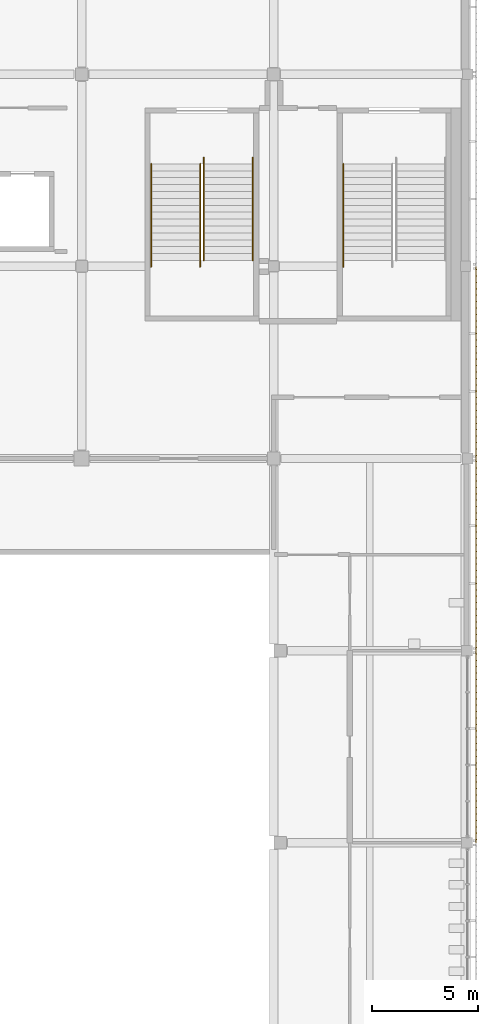
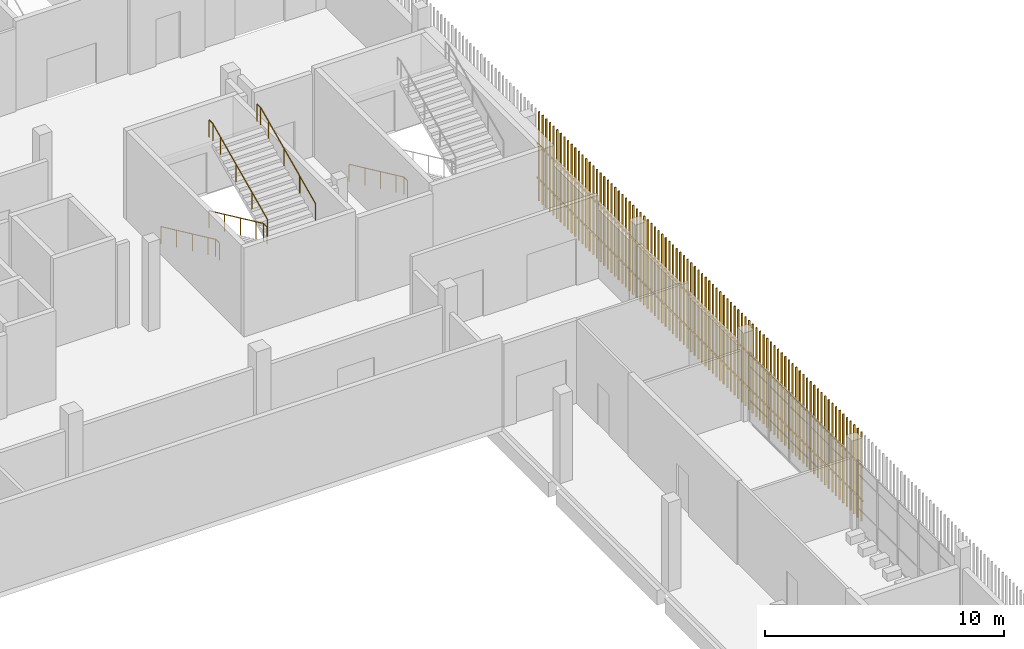
# One storey, part 119 of 124: 5 railings, 3 shading devices.
"""IFC4 building model written with IfcOpenShell, lengths in metres."""

from ifc_helpers import new_model, si_unit, direction, frame, origin, origin_2d, place, context, subcontext, project, spatial, rectangle, circle, extrude, material, type_object, element, save


model = new_model("IFC4")

# Units and contexts
model_context = context("Model", 3, precision=1e-05, world=origin(), true_north=direction((0.0, 1.0)))
body_context = subcontext(model_context, "Body", "Model", "MODEL_VIEW")
ifc_project = project(units=[si_unit("LENGTHUNIT", "METRE"), si_unit("AREAUNIT", "SQUARE_METRE"), si_unit("VOLUMEUNIT", "CUBIC_METRE"), si_unit("PLANEANGLEUNIT", "RADIAN"), si_unit("MASSUNIT", "GRAM", prefix="KILO")], contexts=[model_context])

# Site, building, storey
site_placement = place(None, origin())
site = spatial("IfcSite", under=ifc_project, at=site_placement, CompositionType="ELEMENT")
building_placement = place(site_placement, origin())
building = spatial("IfcBuilding", under=site, at=building_placement, Name="Shirokan Park Arena", CompositionType="ELEMENT")
storey_placement = place(building_placement, frame((0.0, 0.0, 20.02001953125)))
storey = spatial("IfcBuildingStorey", under=building, at=storey_placement, Name="L04", CompositionType="ELEMENT", Elevation=20.02001953125)

# Railings
ifc_material_1 = material(Name="Stainless steel", Category="steel")
railing_type = type_object("IfcRailingType", Name="Stair handrail 900", PredefinedType="HANDRAIL", material=ifc_material_1)
railing_1_placement = place(storey_placement, frame((139.7900390625, 86.75, 0.151611328125)))
element("IfcRailing", 1, at=railing_1_placement, inside=storey, type_object=railing_type, Name="Handrail Exit Stair 3.E L04 to L05", PredefinedType="HANDRAIL", context=body_context, shape_type="SweptSolid", body=[
    extrude(circle(Radius=0.02392578125, at=origin_2d()), frame((0.0, 0.0, 0.8759765625), z_axis=(0.0, -0.907029769225, 0.421066500378), x_axis=(1.0, 0.0, 0.0)), (0.0, 0.0, 1.0), 1.44091796875),
    extrude(circle(Radius=0.02392578125, at=origin_2d()), frame((0.0, -1.306884765625, 1.482421875), z_axis=(0.0, -0.906999720516, 0.421131222998), x_axis=(1.0, 0.0, 0.0)), (0.0, 0.0, 1.0), 1.440673828125),
    extrude(circle(Radius=0.02392578125, at=origin_2d()), frame((0.0, -2.613525390625, 2.08935546875), z_axis=(0.0, -0.907029769225, 0.421066500378), x_axis=(1.0, 0.0, 0.0)), (0.0, 0.0, 1.0), 1.44091796875),
    extrude(circle(Radius=0.02392578125, at=origin_2d()), frame((0.0, -3.92041015625, 2.69580078125), z_axis=(0.0, -0.907064445915, 0.420991794405), x_axis=(1.0, 0.0, 0.0)), (0.0, 0.0, 1.0), 0.72021484375),
    extrude(circle(Radius=0.02392578125, at=origin_2d()), frame((0.0, -4.57373046875, 2.9990234375), z_axis=(0.0, -1.0, 0.0), x_axis=(1.0, 0.0, 0.0)), (0.0, 0.0, 1.0), 0.300048828125),
    extrude(circle(Radius=0.02099609375, at=origin_2d()), origin(), (0.0, 0.0, 1.0), 0.851806640625),
    extrude(circle(Radius=0.02099609375, at=origin_2d()), frame((0.0, -1.306884765625, 0.606689453125)), (0.0, 0.0, 1.0), 0.851806640625),
    extrude(circle(Radius=0.02099609375, at=origin_2d()), frame((0.0, -2.613525390625, 1.21337890625)), (0.0, 0.0, 1.0), 0.851806640625),
    extrude(circle(Radius=0.02099609375, at=origin_2d()), frame((0.0, -3.92041015625, 1.820068359375)), (0.0, 0.0, 1.0), 0.851806640625),
    extrude(circle(Radius=0.02099609375, at=origin_2d()), frame((0.0, -4.57373046875, 2.123291015625)), (0.0, 0.0, 1.0), 0.851806640625),
    extrude(circle(Radius=0.02099609375, at=origin_2d()), frame((0.0, -4.873779296875, 2.123291015625)), (0.0, 0.0, 1.0), 0.851806640625),
])
railing_2_placement = place(storey_placement, frame((130.68994140625, 86.75, 0.151611328125)))
element("IfcRailing", 2, at=railing_2_placement, inside=storey, type_object=railing_type, Name="Handrail Exit Stair 3.F L04 to L05", PredefinedType="HANDRAIL", context=body_context, shape_type="SweptSolid", body=[
    extrude(circle(Radius=0.02392578125, at=origin_2d()), frame((0.0, 0.0, 0.8759765625), z_axis=(0.0, -0.907029769225, 0.421066500378), x_axis=(1.0, 0.0, 0.0)), (0.0, 0.0, 1.0), 1.44091796875),
    extrude(circle(Radius=0.02392578125, at=origin_2d()), frame((0.0, -1.306884765625, 1.482421875), z_axis=(0.0, -0.906999720516, 0.421131222998), x_axis=(1.0, 0.0, 0.0)), (0.0, 0.0, 1.0), 1.440673828125),
    extrude(circle(Radius=0.02392578125, at=origin_2d()), frame((0.0, -2.613525390625, 2.08935546875), z_axis=(0.0, -0.907029769225, 0.421066500378), x_axis=(1.0, 0.0, 0.0)), (0.0, 0.0, 1.0), 1.44091796875),
    extrude(circle(Radius=0.02392578125, at=origin_2d()), frame((0.0, -3.92041015625, 2.69580078125), z_axis=(0.0, -0.907064445915, 0.420991794405), x_axis=(1.0, 0.0, 0.0)), (0.0, 0.0, 1.0), 0.72021484375),
    extrude(circle(Radius=0.02392578125, at=origin_2d()), frame((0.0, -4.57373046875, 2.9990234375), z_axis=(0.0, -1.0, 0.0), x_axis=(1.0, 0.0, 0.0)), (0.0, 0.0, 1.0), 0.300048828125),
    extrude(circle(Radius=0.02099609375, at=origin_2d()), origin(), (0.0, 0.0, 1.0), 0.851806640625),
    extrude(circle(Radius=0.02099609375, at=origin_2d()), frame((0.0, -1.306884765625, 0.606689453125)), (0.0, 0.0, 1.0), 0.851806640625),
    extrude(circle(Radius=0.02099609375, at=origin_2d()), frame((0.0, -2.613525390625, 1.21337890625)), (0.0, 0.0, 1.0), 0.851806640625),
    extrude(circle(Radius=0.02099609375, at=origin_2d()), frame((0.0, -3.92041015625, 1.820068359375)), (0.0, 0.0, 1.0), 0.851806640625),
    extrude(circle(Radius=0.02099609375, at=origin_2d()), frame((0.0, -4.57373046875, 2.123291015625)), (0.0, 0.0, 1.0), 0.851806640625),
    extrude(circle(Radius=0.02099609375, at=origin_2d()), frame((0.0, -4.873779296875, 2.123291015625)), (0.0, 0.0, 1.0), 0.851806640625),
])
railing_3_placement = place(storey_placement, frame((133.010009765625, 86.75, 0.151611328125)))
element("IfcRailing", 3, at=railing_3_placement, inside=storey, type_object=railing_type, Name="Handrail Exit Stair 3.F L04 to L05", PredefinedType="HANDRAIL", context=body_context, shape_type="SweptSolid", body=[
    extrude(circle(Radius=0.02392578125, at=origin_2d()), frame((0.0, 0.0, 0.8759765625), z_axis=(0.0, -0.907029769225, 0.421066500378), x_axis=(1.0, 0.0, 0.0)), (0.0, 0.0, 1.0), 1.44091796875),
    extrude(circle(Radius=0.02392578125, at=origin_2d()), frame((0.0, -1.306884765625, 1.482421875), z_axis=(0.0, -0.906999720516, 0.421131222998), x_axis=(1.0, 0.0, 0.0)), (0.0, 0.0, 1.0), 1.440673828125),
    extrude(circle(Radius=0.02392578125, at=origin_2d()), frame((0.0, -2.613525390625, 2.08935546875), z_axis=(0.0, -0.907029769225, 0.421066500378), x_axis=(1.0, 0.0, 0.0)), (0.0, 0.0, 1.0), 1.44091796875),
    extrude(circle(Radius=0.02392578125, at=origin_2d()), frame((0.0, -3.92041015625, 2.69580078125), z_axis=(0.0, -0.907064445915, 0.420991794405), x_axis=(1.0, 0.0, 0.0)), (0.0, 0.0, 1.0), 0.72021484375),
    extrude(circle(Radius=0.02392578125, at=origin_2d()), frame((0.0, -4.57373046875, 2.9990234375), z_axis=(0.0, -1.0, 0.0), x_axis=(1.0, 0.0, 0.0)), (0.0, 0.0, 1.0), 0.300048828125),
    extrude(circle(Radius=0.02099609375, at=origin_2d()), origin(), (0.0, 0.0, 1.0), 0.851806640625),
    extrude(circle(Radius=0.02099609375, at=origin_2d()), frame((0.0, -1.306884765625, 0.606689453125)), (0.0, 0.0, 1.0), 0.851806640625),
    extrude(circle(Radius=0.02099609375, at=origin_2d()), frame((0.0, -2.613525390625, 1.21337890625)), (0.0, 0.0, 1.0), 0.851806640625),
    extrude(circle(Radius=0.02099609375, at=origin_2d()), frame((0.0, -3.92041015625, 1.820068359375)), (0.0, 0.0, 1.0), 0.851806640625),
    extrude(circle(Radius=0.02099609375, at=origin_2d()), frame((0.0, -4.57373046875, 2.123291015625)), (0.0, 0.0, 1.0), 0.851806640625),
    extrude(circle(Radius=0.02099609375, at=origin_2d()), frame((0.0, -4.873779296875, 2.123291015625)), (0.0, 0.0, 1.0), 0.851806640625),
])
railing_4_placement = place(storey_placement, frame((133.18994140625, 82.17626953125, 2.4267578125)))
element("IfcRailing", 4, at=railing_4_placement, inside=storey, type_object=railing_type, Name="Handrail Exit Stair 3.F L04 to L05", PredefinedType="HANDRAIL", context=body_context, shape_type="SweptSolid", body=[
    extrude(circle(Radius=0.02392578125, at=origin_2d()), frame((0.0, 0.0, 0.8759765625), z_axis=(0.0, 0.907064445915, 0.420991794405), x_axis=(-1.0, 0.0, 0.0)), (0.0, 0.0, 1.0), 1.4404296875),
    extrude(circle(Radius=0.02392578125, at=origin_2d()), frame((0.0, 1.306640625, 1.482421875), z_axis=(0.0, 0.907029769225, 0.421066500378), x_axis=(-1.0, 0.0, 0.0)), (0.0, 0.0, 1.0), 1.44091796875),
    extrude(circle(Radius=0.02392578125, at=origin_2d()), frame((0.0, 2.613525390625, 2.0888671875), z_axis=(0.0, 0.907029769225, 0.421066500378), x_axis=(-1.0, 0.0, 0.0)), (0.0, 0.0, 1.0), 1.44091796875),
    extrude(circle(Radius=0.02392578125, at=origin_2d()), frame((0.0, 3.92041015625, 2.69580078125), z_axis=(0.0, 0.906934982928, 0.421270621741), x_axis=(-1.0, 0.0, 0.0)), (0.0, 0.0, 1.0), 0.720458984375),
    extrude(circle(Radius=0.02392578125, at=origin_2d()), frame((0.0, 4.57373046875, 2.9990234375), z_axis=(0.0, 1.0, 0.0), x_axis=(-1.0, 0.0, 0.0)), (0.0, 0.0, 1.0), 0.300048828125),
    extrude(circle(Radius=0.02099609375, at=origin_2d()), origin(), (0.0, 0.0, 1.0), 0.851806640625),
    extrude(circle(Radius=0.02099609375, at=origin_2d()), frame((0.0, 1.306640625, 0.6064453125)), (0.0, 0.0, 1.0), 0.851806640625),
    extrude(circle(Radius=0.02099609375, at=origin_2d()), frame((0.0, 2.613525390625, 1.213134765625)), (0.0, 0.0, 1.0), 0.851806640625),
    extrude(circle(Radius=0.02099609375, at=origin_2d()), frame((0.0, 3.92041015625, 1.81982421875)), (0.0, 0.0, 1.0), 0.851806640625),
    extrude(circle(Radius=0.02099609375, at=origin_2d()), frame((0.0, 4.57373046875, 2.123291015625)), (0.0, 0.0, 1.0), 0.851806640625),
    extrude(circle(Radius=0.02099609375, at=origin_2d()), frame((0.0, 4.873779296875, 2.123291015625)), (0.0, 0.0, 1.0), 0.851806640625),
])
railing_5_placement = place(storey_placement, frame((135.510009765625, 82.17626953125, 2.4267578125)))
element("IfcRailing", 5, at=railing_5_placement, inside=storey, type_object=railing_type, Name="Handrail Exit Stair 3.F L04 to L05", PredefinedType="HANDRAIL", context=body_context, shape_type="SweptSolid", body=[
    extrude(circle(Radius=0.02392578125, at=origin_2d()), frame((0.0, 0.0, 0.8759765625), z_axis=(0.0, 0.907064445915, 0.420991794405), x_axis=(-1.0, 0.0, 0.0)), (0.0, 0.0, 1.0), 1.4404296875),
    extrude(circle(Radius=0.02392578125, at=origin_2d()), frame((0.0, 1.306640625, 1.482421875), z_axis=(0.0, 0.907029769225, 0.421066500378), x_axis=(-1.0, 0.0, 0.0)), (0.0, 0.0, 1.0), 1.44091796875),
    extrude(circle(Radius=0.02392578125, at=origin_2d()), frame((0.0, 2.613525390625, 2.0888671875), z_axis=(0.0, 0.907029769225, 0.421066500378), x_axis=(-1.0, 0.0, 0.0)), (0.0, 0.0, 1.0), 1.44091796875),
    extrude(circle(Radius=0.02392578125, at=origin_2d()), frame((0.0, 3.92041015625, 2.69580078125), z_axis=(0.0, 0.906934982928, 0.421270621741), x_axis=(-1.0, 0.0, 0.0)), (0.0, 0.0, 1.0), 0.720458984375),
    extrude(circle(Radius=0.02392578125, at=origin_2d()), frame((0.0, 4.57373046875, 2.9990234375), z_axis=(0.0, 1.0, 0.0), x_axis=(-1.0, 0.0, 0.0)), (0.0, 0.0, 1.0), 0.300048828125),
    extrude(circle(Radius=0.02099609375, at=origin_2d()), origin(), (0.0, 0.0, 1.0), 0.851806640625),
    extrude(circle(Radius=0.02099609375, at=origin_2d()), frame((0.0, 1.306640625, 0.6064453125)), (0.0, 0.0, 1.0), 0.851806640625),
    extrude(circle(Radius=0.02099609375, at=origin_2d()), frame((0.0, 2.613525390625, 1.213134765625)), (0.0, 0.0, 1.0), 0.851806640625),
    extrude(circle(Radius=0.02099609375, at=origin_2d()), frame((0.0, 3.92041015625, 1.81982421875)), (0.0, 0.0, 1.0), 0.851806640625),
    extrude(circle(Radius=0.02099609375, at=origin_2d()), frame((0.0, 4.57373046875, 2.123291015625)), (0.0, 0.0, 1.0), 0.851806640625),
    extrude(circle(Radius=0.02099609375, at=origin_2d()), frame((0.0, 4.873779296875, 2.123291015625)), (0.0, 0.0, 1.0), 0.851806640625),
])

# Shading devices
ifc_material_2 = material(Name="Timber louvre veil (cedar)", Category="wood")
shading_device_type = type_object("IfcShadingDeviceType", Name="Timber louvre veil panel", PredefinedType="JALOUSIE", material=ifc_material_2)
shading_device_1_placement = place(storey_placement, origin())
element("IfcShadingDevice", 6, at=shading_device_1_placement, inside=storey, type_object=shading_device_type, Name="Timber louvre veil east bay 7 L04", PredefinedType="JALOUSIE", context=body_context, shape_type="SweptSolid", body=[
    extrude(rectangle(XDim=0.050048828125, YDim=0.080078125, at=origin_2d()), frame((146.0849609375, 54.751708984375, 0.0), z_axis=(0.0, 0.0, 1.0), x_axis=(0.0, 1.0, 0.0)), (0.0, 0.0, 1.0), 4.550048828125),
    extrude(rectangle(XDim=0.050048828125, YDim=0.080078125, at=origin_2d()), frame((146.0849609375, 55.054931640625, 0.0), z_axis=(0.0, 0.0, 1.0), x_axis=(0.0, 1.0, 0.0)), (0.0, 0.0, 1.0), 4.550048828125),
    extrude(rectangle(XDim=0.050048828125, YDim=0.080078125, at=origin_2d()), frame((146.0849609375, 55.3583984375, 0.0), z_axis=(0.0, 0.0, 1.0), x_axis=(0.0, 1.0, 0.0)), (0.0, 0.0, 1.0), 4.550048828125),
    extrude(rectangle(XDim=0.050048828125, YDim=0.080078125, at=origin_2d()), frame((146.0849609375, 55.66162109375, 0.0), z_axis=(0.0, 0.0, 1.0), x_axis=(0.0, 1.0, 0.0)), (0.0, 0.0, 1.0), 4.550048828125),
    extrude(rectangle(XDim=0.050048828125, YDim=0.080078125, at=origin_2d()), frame((146.0849609375, 55.965087890625, 0.0), z_axis=(0.0, 0.0, 1.0), x_axis=(0.0, 1.0, 0.0)), (0.0, 0.0, 1.0), 4.550048828125),
    extrude(rectangle(XDim=0.050048828125, YDim=0.080078125, at=origin_2d()), frame((146.0849609375, 56.268310546875, 0.0), z_axis=(0.0, 0.0, 1.0), x_axis=(0.0, 1.0, 0.0)), (0.0, 0.0, 1.0), 4.550048828125),
    extrude(rectangle(XDim=0.050048828125, YDim=0.080078125, at=origin_2d()), frame((146.0849609375, 56.57177734375, 0.0), z_axis=(0.0, 0.0, 1.0), x_axis=(0.0, 1.0, 0.0)), (0.0, 0.0, 1.0), 4.550048828125),
    extrude(rectangle(XDim=0.050048828125, YDim=0.080078125, at=origin_2d()), frame((146.0849609375, 56.875, 0.0), z_axis=(0.0, 0.0, 1.0), x_axis=(0.0, 1.0, 0.0)), (0.0, 0.0, 1.0), 4.550048828125),
    extrude(rectangle(XDim=0.050048828125, YDim=0.080078125, at=origin_2d()), frame((146.0849609375, 57.17822265625, 0.0), z_axis=(0.0, 0.0, 1.0), x_axis=(0.0, 1.0, 0.0)), (0.0, 0.0, 1.0), 4.550048828125),
    extrude(rectangle(XDim=0.050048828125, YDim=0.080078125, at=origin_2d()), frame((146.0849609375, 57.481689453125, 0.0), z_axis=(0.0, 0.0, 1.0), x_axis=(0.0, 1.0, 0.0)), (0.0, 0.0, 1.0), 4.550048828125),
    extrude(rectangle(XDim=0.050048828125, YDim=0.080078125, at=origin_2d()), frame((146.0849609375, 57.784912109375, 0.0), z_axis=(0.0, 0.0, 1.0), x_axis=(0.0, 1.0, 0.0)), (0.0, 0.0, 1.0), 4.550048828125),
    extrude(rectangle(XDim=0.050048828125, YDim=0.080078125, at=origin_2d()), frame((146.0849609375, 58.08837890625, 0.0), z_axis=(0.0, 0.0, 1.0), x_axis=(0.0, 1.0, 0.0)), (0.0, 0.0, 1.0), 4.550048828125),
    extrude(rectangle(XDim=0.050048828125, YDim=0.080078125, at=origin_2d()), frame((146.0849609375, 58.3916015625, 0.0), z_axis=(0.0, 0.0, 1.0), x_axis=(0.0, 1.0, 0.0)), (0.0, 0.0, 1.0), 4.550048828125),
    extrude(rectangle(XDim=0.050048828125, YDim=0.080078125, at=origin_2d()), frame((146.0849609375, 58.695068359375, 0.0), z_axis=(0.0, 0.0, 1.0), x_axis=(0.0, 1.0, 0.0)), (0.0, 0.0, 1.0), 4.550048828125),
    extrude(rectangle(XDim=0.050048828125, YDim=0.080078125, at=origin_2d()), frame((146.0849609375, 58.998291015625, 0.0), z_axis=(0.0, 0.0, 1.0), x_axis=(0.0, 1.0, 0.0)), (0.0, 0.0, 1.0), 4.550048828125),
    extrude(rectangle(XDim=0.050048828125, YDim=0.080078125, at=origin_2d()), frame((146.0849609375, 59.3017578125, 0.0), z_axis=(0.0, 0.0, 1.0), x_axis=(0.0, 1.0, 0.0)), (0.0, 0.0, 1.0), 4.550048828125),
    extrude(rectangle(XDim=0.050048828125, YDim=0.080078125, at=origin_2d()), frame((146.0849609375, 59.60498046875, 0.0), z_axis=(0.0, 0.0, 1.0), x_axis=(0.0, 1.0, 0.0)), (0.0, 0.0, 1.0), 4.550048828125),
    extrude(rectangle(XDim=0.050048828125, YDim=0.080078125, at=origin_2d()), frame((146.0849609375, 59.908447265625, 0.0), z_axis=(0.0, 0.0, 1.0), x_axis=(0.0, 1.0, 0.0)), (0.0, 0.0, 1.0), 4.550048828125),
    extrude(rectangle(XDim=0.050048828125, YDim=0.080078125, at=origin_2d()), frame((146.0849609375, 60.211669921875, 0.0), z_axis=(0.0, 0.0, 1.0), x_axis=(0.0, 1.0, 0.0)), (0.0, 0.0, 1.0), 4.550048828125),
    extrude(rectangle(XDim=0.050048828125, YDim=0.080078125, at=origin_2d()), frame((146.0849609375, 60.514892578125, 0.0), z_axis=(0.0, 0.0, 1.0), x_axis=(0.0, 1.0, 0.0)), (0.0, 0.0, 1.0), 4.550048828125),
    extrude(rectangle(XDim=0.050048828125, YDim=0.080078125, at=origin_2d()), frame((146.0849609375, 60.818359375, 0.0), z_axis=(0.0, 0.0, 1.0), x_axis=(0.0, 1.0, 0.0)), (0.0, 0.0, 1.0), 4.550048828125),
    extrude(rectangle(XDim=0.050048828125, YDim=0.080078125, at=origin_2d()), frame((146.0849609375, 61.12158203125, 0.0), z_axis=(0.0, 0.0, 1.0), x_axis=(0.0, 1.0, 0.0)), (0.0, 0.0, 1.0), 4.550048828125),
    extrude(rectangle(XDim=0.050048828125, YDim=0.080078125, at=origin_2d()), frame((146.0849609375, 61.425048828125, 0.0), z_axis=(0.0, 0.0, 1.0), x_axis=(0.0, 1.0, 0.0)), (0.0, 0.0, 1.0), 4.550048828125),
    extrude(rectangle(XDim=0.050048828125, YDim=0.080078125, at=origin_2d()), frame((146.0849609375, 61.728271484375, 0.0), z_axis=(0.0, 0.0, 1.0), x_axis=(0.0, 1.0, 0.0)), (0.0, 0.0, 1.0), 4.550048828125),
    extrude(rectangle(XDim=0.050048828125, YDim=0.080078125, at=origin_2d()), frame((146.0849609375, 62.03173828125, 0.0), z_axis=(0.0, 0.0, 1.0), x_axis=(0.0, 1.0, 0.0)), (0.0, 0.0, 1.0), 4.550048828125),
    extrude(rectangle(XDim=0.050048828125, YDim=0.080078125, at=origin_2d()), frame((146.0849609375, 62.3349609375, 0.0), z_axis=(0.0, 0.0, 1.0), x_axis=(0.0, 1.0, 0.0)), (0.0, 0.0, 1.0), 4.550048828125),
    extrude(rectangle(XDim=0.050048828125, YDim=0.080078125, at=origin_2d()), frame((146.0849609375, 62.638427734375, 0.0), z_axis=(0.0, 0.0, 1.0), x_axis=(0.0, 1.0, 0.0)), (0.0, 0.0, 1.0), 4.550048828125),
    extrude(rectangle(XDim=0.050048828125, YDim=0.080078125, at=origin_2d()), frame((146.0849609375, 62.941650390625, 0.0), z_axis=(0.0, 0.0, 1.0), x_axis=(0.0, 1.0, 0.0)), (0.0, 0.0, 1.0), 4.550048828125),
    extrude(rectangle(XDim=0.050048828125, YDim=0.080078125, at=origin_2d()), frame((146.0849609375, 63.2451171875, 0.0), z_axis=(0.0, 0.0, 1.0), x_axis=(0.0, 1.0, 0.0)), (0.0, 0.0, 1.0), 4.550048828125),
    extrude(rectangle(XDim=0.050048828125, YDim=0.080078125, at=origin_2d()), frame((146.0849609375, 63.54833984375, 0.0), z_axis=(0.0, 0.0, 1.0), x_axis=(0.0, 1.0, 0.0)), (0.0, 0.0, 1.0), 4.550048828125),
    extrude(rectangle(XDim=9.10009765625, YDim=0.050048828125, at=origin_2d()), frame((146.070068359375, 59.14990234375, 1.06005859375), z_axis=(0.0, 0.0, 1.0), x_axis=(0.0, 1.0, 0.0)), (0.0, 0.0, 1.0), 0.080078125),
    extrude(rectangle(XDim=9.10009765625, YDim=0.050048828125, at=origin_2d()), frame((146.070068359375, 59.14990234375, 2.81005859375), z_axis=(0.0, 0.0, 1.0), x_axis=(0.0, 1.0, 0.0)), (0.0, 0.0, 1.0), 0.080078125),
])
shading_device_2_placement = place(storey_placement, origin())
element("IfcShadingDevice", 7, at=shading_device_2_placement, inside=storey, type_object=shading_device_type, Name="Timber louvre veil east bay 8 L04", PredefinedType="JALOUSIE", context=body_context, shape_type="SweptSolid", body=[
    extrude(rectangle(XDim=0.050048828125, YDim=0.080078125, at=origin_2d()), frame((146.0849609375, 63.8515625, 0.0), z_axis=(0.0, 0.0, 1.0), x_axis=(0.0, 1.0, 0.0)), (0.0, 0.0, 1.0), 4.550048828125),
    extrude(rectangle(XDim=0.050048828125, YDim=0.080078125, at=origin_2d()), frame((146.0849609375, 64.155029296875, 0.0), z_axis=(0.0, 0.0, 1.0), x_axis=(0.0, 1.0, 0.0)), (0.0, 0.0, 1.0), 4.550048828125),
    extrude(rectangle(XDim=0.050048828125, YDim=0.080078125, at=origin_2d()), frame((146.0849609375, 64.458251953125, 0.0), z_axis=(0.0, 0.0, 1.0), x_axis=(0.0, 1.0, 0.0)), (0.0, 0.0, 1.0), 4.550048828125),
    extrude(rectangle(XDim=0.050048828125, YDim=0.080078125, at=origin_2d()), frame((146.0849609375, 64.76171875, 0.0), z_axis=(0.0, 0.0, 1.0), x_axis=(0.0, 1.0, 0.0)), (0.0, 0.0, 1.0), 4.550048828125),
    extrude(rectangle(XDim=0.050048828125, YDim=0.080078125, at=origin_2d()), frame((146.0849609375, 65.06494140625, 0.0), z_axis=(0.0, 0.0, 1.0), x_axis=(0.0, 1.0, 0.0)), (0.0, 0.0, 1.0), 4.550048828125),
    extrude(rectangle(XDim=0.050048828125, YDim=0.080078125, at=origin_2d()), frame((146.0849609375, 65.368408203125, 0.0), z_axis=(0.0, 0.0, 1.0), x_axis=(0.0, 1.0, 0.0)), (0.0, 0.0, 1.0), 4.550048828125),
    extrude(rectangle(XDim=0.050048828125, YDim=0.080078125, at=origin_2d()), frame((146.0849609375, 65.671630859375, 0.0), z_axis=(0.0, 0.0, 1.0), x_axis=(0.0, 1.0, 0.0)), (0.0, 0.0, 1.0), 4.550048828125),
    extrude(rectangle(XDim=0.050048828125, YDim=0.080078125, at=origin_2d()), frame((146.0849609375, 65.97509765625, 0.0), z_axis=(0.0, 0.0, 1.0), x_axis=(0.0, 1.0, 0.0)), (0.0, 0.0, 1.0), 4.550048828125),
    extrude(rectangle(XDim=0.050048828125, YDim=0.080078125, at=origin_2d()), frame((146.0849609375, 66.2783203125, 0.0), z_axis=(0.0, 0.0, 1.0), x_axis=(0.0, 1.0, 0.0)), (0.0, 0.0, 1.0), 4.550048828125),
    extrude(rectangle(XDim=0.050048828125, YDim=0.080078125, at=origin_2d()), frame((146.0849609375, 66.581787109375, 0.0), z_axis=(0.0, 0.0, 1.0), x_axis=(0.0, 1.0, 0.0)), (0.0, 0.0, 1.0), 4.550048828125),
    extrude(rectangle(XDim=0.050048828125, YDim=0.080078125, at=origin_2d()), frame((146.0849609375, 66.885009765625, 0.0), z_axis=(0.0, 0.0, 1.0), x_axis=(0.0, 1.0, 0.0)), (0.0, 0.0, 1.0), 4.550048828125),
    extrude(rectangle(XDim=0.050048828125, YDim=0.080078125, at=origin_2d()), frame((146.0849609375, 67.188232421875, 0.0), z_axis=(0.0, 0.0, 1.0), x_axis=(0.0, 1.0, 0.0)), (0.0, 0.0, 1.0), 4.550048828125),
    extrude(rectangle(XDim=0.050048828125, YDim=0.080078125, at=origin_2d()), frame((146.0849609375, 67.49169921875, 0.0), z_axis=(0.0, 0.0, 1.0), x_axis=(0.0, 1.0, 0.0)), (0.0, 0.0, 1.0), 4.550048828125),
    extrude(rectangle(XDim=0.050048828125, YDim=0.080078125, at=origin_2d()), frame((146.0849609375, 67.794921875, 0.0), z_axis=(0.0, 0.0, 1.0), x_axis=(0.0, 1.0, 0.0)), (0.0, 0.0, 1.0), 4.550048828125),
    extrude(rectangle(XDim=0.050048828125, YDim=0.080078125, at=origin_2d()), frame((146.0849609375, 68.098388671875, 0.0), z_axis=(0.0, 0.0, 1.0), x_axis=(0.0, 1.0, 0.0)), (0.0, 0.0, 1.0), 4.550048828125),
    extrude(rectangle(XDim=0.050048828125, YDim=0.080078125, at=origin_2d()), frame((146.0849609375, 68.401611328125, 0.0), z_axis=(0.0, 0.0, 1.0), x_axis=(0.0, 1.0, 0.0)), (0.0, 0.0, 1.0), 4.550048828125),
    extrude(rectangle(XDim=0.050048828125, YDim=0.080078125, at=origin_2d()), frame((146.0849609375, 68.705078125, 0.0), z_axis=(0.0, 0.0, 1.0), x_axis=(0.0, 1.0, 0.0)), (0.0, 0.0, 1.0), 4.550048828125),
    extrude(rectangle(XDim=0.050048828125, YDim=0.080078125, at=origin_2d()), frame((146.0849609375, 69.00830078125, 0.0), z_axis=(0.0, 0.0, 1.0), x_axis=(0.0, 1.0, 0.0)), (0.0, 0.0, 1.0), 4.550048828125),
    extrude(rectangle(XDim=0.050048828125, YDim=0.080078125, at=origin_2d()), frame((146.0849609375, 69.311767578125, 0.0), z_axis=(0.0, 0.0, 1.0), x_axis=(0.0, 1.0, 0.0)), (0.0, 0.0, 1.0), 4.550048828125),
    extrude(rectangle(XDim=0.050048828125, YDim=0.080078125, at=origin_2d()), frame((146.0849609375, 69.614990234375, 0.0), z_axis=(0.0, 0.0, 1.0), x_axis=(0.0, 1.0, 0.0)), (0.0, 0.0, 1.0), 4.550048828125),
    extrude(rectangle(XDim=0.050048828125, YDim=0.080078125, at=origin_2d()), frame((146.0849609375, 69.918212890625, 0.0), z_axis=(0.0, 0.0, 1.0), x_axis=(0.0, 1.0, 0.0)), (0.0, 0.0, 1.0), 4.550048828125),
    extrude(rectangle(XDim=0.050048828125, YDim=0.080078125, at=origin_2d()), frame((146.0849609375, 70.2216796875, 0.0), z_axis=(0.0, 0.0, 1.0), x_axis=(0.0, 1.0, 0.0)), (0.0, 0.0, 1.0), 4.550048828125),
    extrude(rectangle(XDim=0.050048828125, YDim=0.080078125, at=origin_2d()), frame((146.0849609375, 70.52490234375, 0.0), z_axis=(0.0, 0.0, 1.0), x_axis=(0.0, 1.0, 0.0)), (0.0, 0.0, 1.0), 4.550048828125),
    extrude(rectangle(XDim=0.050048828125, YDim=0.080078125, at=origin_2d()), frame((146.0849609375, 70.828369140625, 0.0), z_axis=(0.0, 0.0, 1.0), x_axis=(0.0, 1.0, 0.0)), (0.0, 0.0, 1.0), 4.550048828125),
    extrude(rectangle(XDim=0.050048828125, YDim=0.080078125, at=origin_2d()), frame((146.0849609375, 71.131591796875, 0.0), z_axis=(0.0, 0.0, 1.0), x_axis=(0.0, 1.0, 0.0)), (0.0, 0.0, 1.0), 4.550048828125),
    extrude(rectangle(XDim=0.050048828125, YDim=0.080078125, at=origin_2d()), frame((146.0849609375, 71.43505859375, 0.0), z_axis=(0.0, 0.0, 1.0), x_axis=(0.0, 1.0, 0.0)), (0.0, 0.0, 1.0), 4.550048828125),
    extrude(rectangle(XDim=0.050048828125, YDim=0.080078125, at=origin_2d()), frame((146.0849609375, 71.73828125, 0.0), z_axis=(0.0, 0.0, 1.0), x_axis=(0.0, 1.0, 0.0)), (0.0, 0.0, 1.0), 4.550048828125),
    extrude(rectangle(XDim=0.050048828125, YDim=0.080078125, at=origin_2d()), frame((146.0849609375, 72.041748046875, 0.0), z_axis=(0.0, 0.0, 1.0), x_axis=(0.0, 1.0, 0.0)), (0.0, 0.0, 1.0), 4.550048828125),
    extrude(rectangle(XDim=0.050048828125, YDim=0.080078125, at=origin_2d()), frame((146.0849609375, 72.344970703125, 0.0), z_axis=(0.0, 0.0, 1.0), x_axis=(0.0, 1.0, 0.0)), (0.0, 0.0, 1.0), 4.550048828125),
    extrude(rectangle(XDim=0.050048828125, YDim=0.080078125, at=origin_2d()), frame((146.0849609375, 72.6484375, 0.0), z_axis=(0.0, 0.0, 1.0), x_axis=(0.0, 1.0, 0.0)), (0.0, 0.0, 1.0), 4.550048828125),
    extrude(rectangle(XDim=9.10009765625, YDim=0.050048828125, at=origin_2d()), frame((146.070068359375, 68.25, 1.06005859375), z_axis=(0.0, 0.0, 1.0), x_axis=(0.0, 1.0, 0.0)), (0.0, 0.0, 1.0), 0.080078125),
    extrude(rectangle(XDim=9.10009765625, YDim=0.050048828125, at=origin_2d()), frame((146.070068359375, 68.25, 2.81005859375), z_axis=(0.0, 0.0, 1.0), x_axis=(0.0, 1.0, 0.0)), (0.0, 0.0, 1.0), 0.080078125),
])
shading_device_3_placement = place(storey_placement, origin())
element("IfcShadingDevice", 8, at=shading_device_3_placement, inside=storey, type_object=shading_device_type, Name="Timber louvre veil east bay 9 L04", PredefinedType="JALOUSIE", context=body_context, shape_type="SweptSolid", body=[
    extrude(rectangle(XDim=0.050048828125, YDim=0.080078125, at=origin_2d()), frame((146.0849609375, 72.95166015625, 0.0), z_axis=(0.0, 0.0, 1.0), x_axis=(0.0, 1.0, 0.0)), (0.0, 0.0, 1.0), 4.550048828125),
    extrude(rectangle(XDim=0.050048828125, YDim=0.080078125, at=origin_2d()), frame((146.0849609375, 73.2548828125, 0.0), z_axis=(0.0, 0.0, 1.0), x_axis=(0.0, 1.0, 0.0)), (0.0, 0.0, 1.0), 4.550048828125),
    extrude(rectangle(XDim=0.050048828125, YDim=0.080078125, at=origin_2d()), frame((146.0849609375, 73.558349609375, 0.0), z_axis=(0.0, 0.0, 1.0), x_axis=(0.0, 1.0, 0.0)), (0.0, 0.0, 1.0), 4.550048828125),
    extrude(rectangle(XDim=0.050048828125, YDim=0.080078125, at=origin_2d()), frame((146.0849609375, 73.861572265625, 0.0), z_axis=(0.0, 0.0, 1.0), x_axis=(0.0, 1.0, 0.0)), (0.0, 0.0, 1.0), 4.550048828125),
    extrude(rectangle(XDim=0.050048828125, YDim=0.080078125, at=origin_2d()), frame((146.0849609375, 74.1650390625, 0.0), z_axis=(0.0, 0.0, 1.0), x_axis=(0.0, 1.0, 0.0)), (0.0, 0.0, 1.0), 4.550048828125),
    extrude(rectangle(XDim=0.050048828125, YDim=0.080078125, at=origin_2d()), frame((146.0849609375, 74.46826171875, 0.0), z_axis=(0.0, 0.0, 1.0), x_axis=(0.0, 1.0, 0.0)), (0.0, 0.0, 1.0), 4.550048828125),
    extrude(rectangle(XDim=0.050048828125, YDim=0.080078125, at=origin_2d()), frame((146.0849609375, 74.771728515625, 0.0), z_axis=(0.0, 0.0, 1.0), x_axis=(0.0, 1.0, 0.0)), (0.0, 0.0, 1.0), 4.550048828125),
    extrude(rectangle(XDim=0.050048828125, YDim=0.080078125, at=origin_2d()), frame((146.0849609375, 75.074951171875, 0.0), z_axis=(0.0, 0.0, 1.0), x_axis=(0.0, 1.0, 0.0)), (0.0, 0.0, 1.0), 4.550048828125),
    extrude(rectangle(XDim=0.050048828125, YDim=0.080078125, at=origin_2d()), frame((146.0849609375, 75.37841796875, 0.0), z_axis=(0.0, 0.0, 1.0), x_axis=(0.0, 1.0, 0.0)), (0.0, 0.0, 1.0), 4.550048828125),
    extrude(rectangle(XDim=0.050048828125, YDim=0.080078125, at=origin_2d()), frame((146.0849609375, 75.681640625, 0.0), z_axis=(0.0, 0.0, 1.0), x_axis=(0.0, 1.0, 0.0)), (0.0, 0.0, 1.0), 4.550048828125),
    extrude(rectangle(XDim=0.050048828125, YDim=0.080078125, at=origin_2d()), frame((146.0849609375, 75.985107421875, 0.0), z_axis=(0.0, 0.0, 1.0), x_axis=(0.0, 1.0, 0.0)), (0.0, 0.0, 1.0), 4.550048828125),
    extrude(rectangle(XDim=0.050048828125, YDim=0.080078125, at=origin_2d()), frame((146.0849609375, 76.288330078125, 0.0), z_axis=(0.0, 0.0, 1.0), x_axis=(0.0, 1.0, 0.0)), (0.0, 0.0, 1.0), 4.550048828125),
    extrude(rectangle(XDim=0.050048828125, YDim=0.080078125, at=origin_2d()), frame((146.0849609375, 76.591552734375, 0.0), z_axis=(0.0, 0.0, 1.0), x_axis=(0.0, 1.0, 0.0)), (0.0, 0.0, 1.0), 4.550048828125),
    extrude(rectangle(XDim=0.050048828125, YDim=0.080078125, at=origin_2d()), frame((146.0849609375, 76.89501953125, 0.0), z_axis=(0.0, 0.0, 1.0), x_axis=(0.0, 1.0, 0.0)), (0.0, 0.0, 1.0), 4.550048828125),
    extrude(rectangle(XDim=0.050048828125, YDim=0.080078125, at=origin_2d()), frame((146.0849609375, 77.1982421875, 0.0), z_axis=(0.0, 0.0, 1.0), x_axis=(0.0, 1.0, 0.0)), (0.0, 0.0, 1.0), 4.550048828125),
    extrude(rectangle(XDim=0.050048828125, YDim=0.080078125, at=origin_2d()), frame((146.0849609375, 77.501708984375, 0.0), z_axis=(0.0, 0.0, 1.0), x_axis=(0.0, 1.0, 0.0)), (0.0, 0.0, 1.0), 4.550048828125),
    extrude(rectangle(XDim=0.050048828125, YDim=0.080078125, at=origin_2d()), frame((146.0849609375, 77.804931640625, 0.0), z_axis=(0.0, 0.0, 1.0), x_axis=(0.0, 1.0, 0.0)), (0.0, 0.0, 1.0), 4.550048828125),
    extrude(rectangle(XDim=0.050048828125, YDim=0.080078125, at=origin_2d()), frame((146.0849609375, 78.1083984375, 0.0), z_axis=(0.0, 0.0, 1.0), x_axis=(0.0, 1.0, 0.0)), (0.0, 0.0, 1.0), 4.550048828125),
    extrude(rectangle(XDim=0.050048828125, YDim=0.080078125, at=origin_2d()), frame((146.0849609375, 78.41162109375, 0.0), z_axis=(0.0, 0.0, 1.0), x_axis=(0.0, 1.0, 0.0)), (0.0, 0.0, 1.0), 4.550048828125),
    extrude(rectangle(XDim=0.050048828125, YDim=0.080078125, at=origin_2d()), frame((146.0849609375, 78.715087890625, 0.0), z_axis=(0.0, 0.0, 1.0), x_axis=(0.0, 1.0, 0.0)), (0.0, 0.0, 1.0), 4.550048828125),
    extrude(rectangle(XDim=0.050048828125, YDim=0.080078125, at=origin_2d()), frame((146.0849609375, 79.018310546875, 0.0), z_axis=(0.0, 0.0, 1.0), x_axis=(0.0, 1.0, 0.0)), (0.0, 0.0, 1.0), 4.550048828125),
    extrude(rectangle(XDim=0.050048828125, YDim=0.080078125, at=origin_2d()), frame((146.0849609375, 79.32177734375, 0.0), z_axis=(0.0, 0.0, 1.0), x_axis=(0.0, 1.0, 0.0)), (0.0, 0.0, 1.0), 4.550048828125),
    extrude(rectangle(XDim=0.050048828125, YDim=0.080078125, at=origin_2d()), frame((146.0849609375, 79.625, 0.0), z_axis=(0.0, 0.0, 1.0), x_axis=(0.0, 1.0, 0.0)), (0.0, 0.0, 1.0), 4.550048828125),
    extrude(rectangle(XDim=0.050048828125, YDim=0.080078125, at=origin_2d()), frame((146.0849609375, 79.92822265625, 0.0), z_axis=(0.0, 0.0, 1.0), x_axis=(0.0, 1.0, 0.0)), (0.0, 0.0, 1.0), 4.550048828125),
    extrude(rectangle(XDim=0.050048828125, YDim=0.080078125, at=origin_2d()), frame((146.0849609375, 80.231689453125, 0.0), z_axis=(0.0, 0.0, 1.0), x_axis=(0.0, 1.0, 0.0)), (0.0, 0.0, 1.0), 4.550048828125),
    extrude(rectangle(XDim=0.050048828125, YDim=0.080078125, at=origin_2d()), frame((146.0849609375, 80.534912109375, 0.0), z_axis=(0.0, 0.0, 1.0), x_axis=(0.0, 1.0, 0.0)), (0.0, 0.0, 1.0), 4.550048828125),
    extrude(rectangle(XDim=0.050048828125, YDim=0.080078125, at=origin_2d()), frame((146.0849609375, 80.83837890625, 0.0), z_axis=(0.0, 0.0, 1.0), x_axis=(0.0, 1.0, 0.0)), (0.0, 0.0, 1.0), 4.550048828125),
    extrude(rectangle(XDim=0.050048828125, YDim=0.080078125, at=origin_2d()), frame((146.0849609375, 81.1416015625, 0.0), z_axis=(0.0, 0.0, 1.0), x_axis=(0.0, 1.0, 0.0)), (0.0, 0.0, 1.0), 4.550048828125),
    extrude(rectangle(XDim=0.050048828125, YDim=0.080078125, at=origin_2d()), frame((146.0849609375, 81.445068359375, 0.0), z_axis=(0.0, 0.0, 1.0), x_axis=(0.0, 1.0, 0.0)), (0.0, 0.0, 1.0), 4.550048828125),
    extrude(rectangle(XDim=0.050048828125, YDim=0.080078125, at=origin_2d()), frame((146.0849609375, 81.748291015625, 0.0), z_axis=(0.0, 0.0, 1.0), x_axis=(0.0, 1.0, 0.0)), (0.0, 0.0, 1.0), 4.550048828125),
    extrude(rectangle(XDim=9.10009765625, YDim=0.050048828125, at=origin_2d()), frame((146.070068359375, 77.35009765625, 1.06005859375), z_axis=(0.0, 0.0, 1.0), x_axis=(0.0, 1.0, 0.0)), (0.0, 0.0, 1.0), 0.080078125),
    extrude(rectangle(XDim=9.10009765625, YDim=0.050048828125, at=origin_2d()), frame((146.070068359375, 77.35009765625, 2.81005859375), z_axis=(0.0, 0.0, 1.0), x_axis=(0.0, 1.0, 0.0)), (0.0, 0.0, 1.0), 0.080078125),
])

save(model, "model.ifc")
